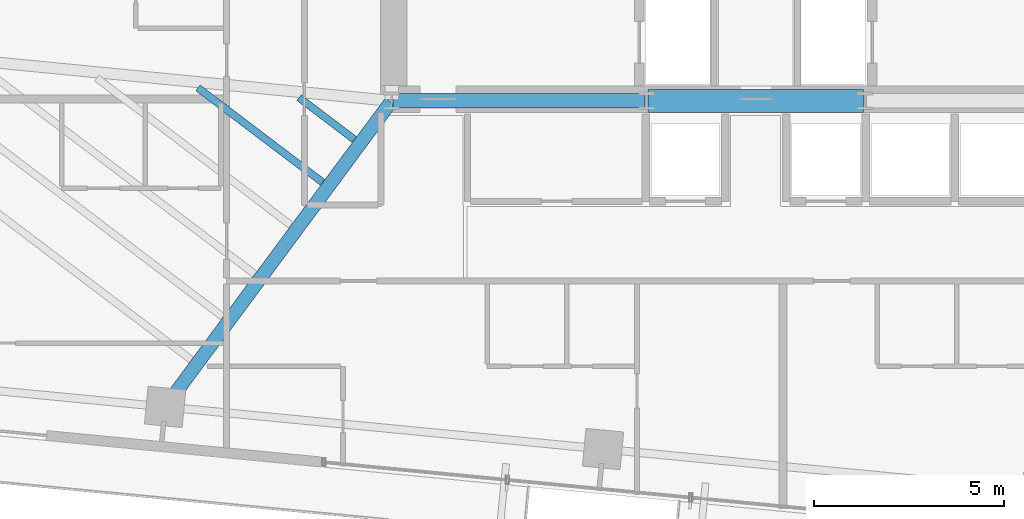
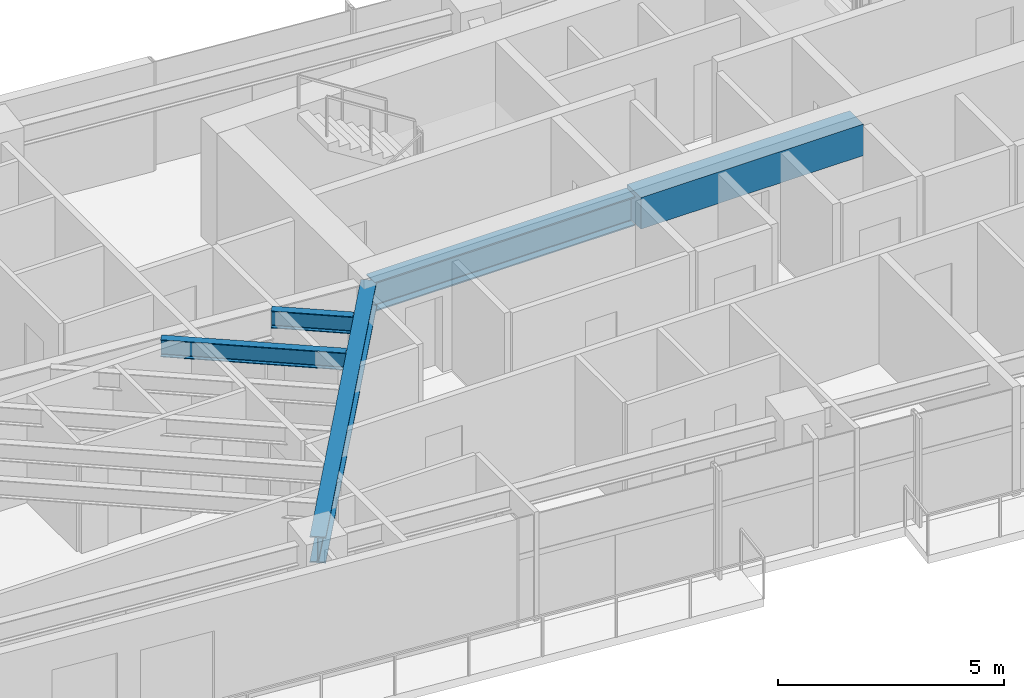
# One storey, part 5 of 20: 5 beams.
"""IFC4 building model written with IfcOpenShell, lengths in metres."""

from ifc_helpers import new_model, si_unit, direction, frame, origin, origin_2d, place, context, subcontext, project, spatial, rectangle, i_section, extrude, source, transform, mapped, material, material_profile, profile_set, type_object, type_shapes, element, save


model = new_model("IFC4")

# Units and contexts
model_context = context("Model", 3, precision=1e-05, world=origin(), true_north=direction((0.0, 1.0)))
body_context = subcontext(model_context, "Body", "Model", "MODEL_VIEW")
ifc_project = project(units=[si_unit("LENGTHUNIT", "METRE"), si_unit("AREAUNIT", "SQUARE_METRE"), si_unit("VOLUMEUNIT", "CUBIC_METRE"), si_unit("PLANEANGLEUNIT", "RADIAN"), si_unit("MASSUNIT", "GRAM", prefix="KILO")], contexts=[model_context])

# Site, building, storey
site_placement = place(None, origin())
site = spatial("IfcSite", under=ifc_project, at=site_placement, CompositionType="ELEMENT")
building_placement = place(site_placement, origin())
building = spatial("IfcBuilding", under=site, at=building_placement, Name="Astriad Promenade Condominiums", CompositionType="ELEMENT")
storey_placement = place(building_placement, frame((0.0, 0.0, 137.39990234375)))
storey = spatial("IfcBuildingStorey", under=building, at=storey_placement, Name="L39", CompositionType="ELEMENT", Elevation=137.39990234375)

# Beams
ifc_material_1 = material(Name="Steel ASTM A992 Grade 50", Category="steel")
ifc_material_profile_1 = material_profile(ifc_material_1, i_section(OverallWidth=0.3837890625, OverallDepth=0.785888671875, WebThickness=0.019775390625, FlangeThickness=0.033447265625, FilletRadius=0.021484375, at=origin_2d()), Name="W30X211")
ifc_profile_set_1 = profile_set([ifc_material_profile_1], Name="Steel ASTM A992 Grade 50")
beam_type_1 = type_object("IfcBeamType", Name="STEEL FLOOR GIRDER W30X211", PredefinedType="BEAM", material=ifc_profile_set_1)
shared_shape_1 = source(origin(), body_context, "Body", "SweptSolid", [
    extrude(i_section(OverallWidth=0.3837890625, OverallDepth=0.785888671875, WebThickness=0.019775390625, FlangeThickness=0.033447265625, FilletRadius=0.021484375, at=origin_2d()), origin(), (0.0, 0.0, 1.0), 6.64013671875),
])
type_shapes(beam_type_1, [shared_shape_1])
beam_1_placement = place(storey_placement, frame((26.43994140625, 17.39990234375, 2.547119140625), z_axis=(1.0, 0.0, 0.0), x_axis=(0.0, 1.0, 0.0)))
element("IfcBeam", 1, at=beam_1_placement, inside=storey, type_object=beam_type_1, Name="Core Ring Beam CG-S1-L39", PredefinedType="BEAM", context=body_context, shape_type="MappedRepresentation", body=[
    mapped(shared_shape_1, transform((0.0, 0.0, 0.0), scale=1.0)),
])
ifc_material_profile_2 = material_profile(ifc_material_1, i_section(OverallWidth=0.35791015625, OverallDepth=0.706298828125, WebThickness=0.018310546875, FlangeThickness=0.0302734375, FilletRadius=0.020263671875, at=origin_2d()), Name="W27X178")
ifc_profile_set_2 = profile_set([ifc_material_profile_2], Name="Steel ASTM A992 Grade 50")
beam_type_2 = type_object("IfcBeamType", Name="STEEL FLOOR GIRDER W27X178", PredefinedType="BEAM", material=ifc_profile_set_2)
shared_shape_2 = source(origin(), body_context, "Body", "SweptSolid", [
    extrude(i_section(OverallWidth=0.35791015625, OverallDepth=0.706298828125, WebThickness=0.018310546875, FlangeThickness=0.0302734375, FilletRadius=0.020263671875, at=origin_2d()), origin(), (0.0, 0.0, 1.0), 9.958984375),
])
type_shapes(beam_type_2, [shared_shape_2])
beam_2_placement = place(storey_placement, frame((20.450927734375, 9.363525390625, 2.5869140625), z_axis=(0.59497542442, 0.803743892255, 0.0), x_axis=(-0.803743892255, 0.59497542442, 0.0)))
element("IfcBeam", 2, at=beam_2_placement, inside=storey, type_object=beam_type_2, Name="Primary Floor Girder PG-W2-L39", PredefinedType="BEAM", context=body_context, shape_type="MappedRepresentation", body=[
    mapped(shared_shape_2, transform((0.0, 0.0, 0.0), scale=1.0)),
])
ifc_material_profile_3 = material_profile(ifc_material_1, i_section(OverallWidth=0.19287109375, OverallDepth=0.466064453125, WebThickness=0.011474609375, FlangeThickness=0.01904296875, FilletRadius=0.01513671875, at=origin_2d()), Name="W18X65")
ifc_profile_set_3 = profile_set([ifc_material_profile_3], Name="Steel ASTM A992 Grade 50")
beam_type_3 = type_object("IfcBeamType", Name="STEEL FLOOR JOIST W18X65", PredefinedType="JOIST", material=ifc_profile_set_3)
shared_shape_3 = source(origin(), body_context, "Body", "SweptSolid", [
    extrude(i_section(OverallWidth=0.19287109375, OverallDepth=0.466064453125, WebThickness=0.011474609375, FlangeThickness=0.01904296875, FilletRadius=0.01513671875, at=origin_2d()), origin(), (0.0, 0.0, 1.0), 4.12109375),
])
beam_3_placement = place(storey_placement, frame((21.292724609375, 17.744140625, 2.70703125), z_axis=(0.796968568798, -0.604020778077, 0.0), x_axis=(0.604020778077, 0.796968568798, 0.0)))
element("IfcBeam", 3, at=beam_3_placement, inside=storey, type_object=beam_type_3, Name="Secondary Composite Floor Joist JW1-5-L39", PredefinedType="JOIST", context=body_context, shape_type="MappedRepresentation", body=[
    mapped(shared_shape_3, transform((0.0, 0.0, 0.0), scale=1.0)),
])
shared_shape_4 = source(origin(), body_context, "Body", "SweptSolid", [
    extrude(i_section(OverallWidth=0.19287109375, OverallDepth=0.466064453125, WebThickness=0.011474609375, FlangeThickness=0.01904296875, FilletRadius=0.01513671875, at=origin_2d()), origin(), (0.0, 0.0, 1.0), 1.82177734375),
])
type_shapes(beam_type_3, [shared_shape_3, shared_shape_4])
beam_4_placement = place(storey_placement, frame((23.96142578125, 17.48486328125, 2.70703125), z_axis=(0.796982671853, -0.604002169504, 0.0), x_axis=(0.604002169504, 0.796982671853, 0.0)))
element("IfcBeam", 4, at=beam_4_placement, inside=storey, type_object=beam_type_3, Name="Secondary Composite Floor Joist JW1-6-L39", PredefinedType="JOIST", context=body_context, shape_type="MappedRepresentation", body=[
    mapped(shared_shape_4, transform((0.0, 0.0, 0.0), scale=1.0)),
])
ifc_material_2 = material(Name="Concrete C60/75", Category="concrete")
ifc_material_profile_4 = material_profile(ifc_material_2, rectangle(XDim=0.60009765625, YDim=0.85009765625, at=origin_2d()), Name="RC-BM-600X850")
ifc_profile_set_4 = profile_set([ifc_material_profile_4], Name="Concrete C60/75")
beam_type_4 = type_object("IfcBeamType", Name="CONCRETE CORE COUPLING LINTEL 600X850", PredefinedType="LINTEL", material=ifc_profile_set_4)
shared_shape_5 = source(origin(), body_context, "Body", "SweptSolid", [
    extrude(rectangle(XDim=0.60009765625, YDim=0.85009765625, at=origin_2d()), origin(), (0.0, 0.0, 1.0), 5.68017578125),
])
type_shapes(beam_type_4, [shared_shape_5])
beam_5_placement = place(storey_placement, frame((33.159912109375, 17.39990234375, 2.51513671875), z_axis=(1.0, 0.0, 0.0), x_axis=(0.0, 1.0, 0.0)))
element("IfcBeam", 5, at=beam_5_placement, inside=storey, type_object=beam_type_4, Name="Core Ring Beam CG-S2-L39", PredefinedType="LINTEL", context=body_context, shape_type="MappedRepresentation", body=[
    mapped(shared_shape_5, transform((0.0, 0.0, 0.0), scale=1.0)),
])

save(model, "model.ifc")
